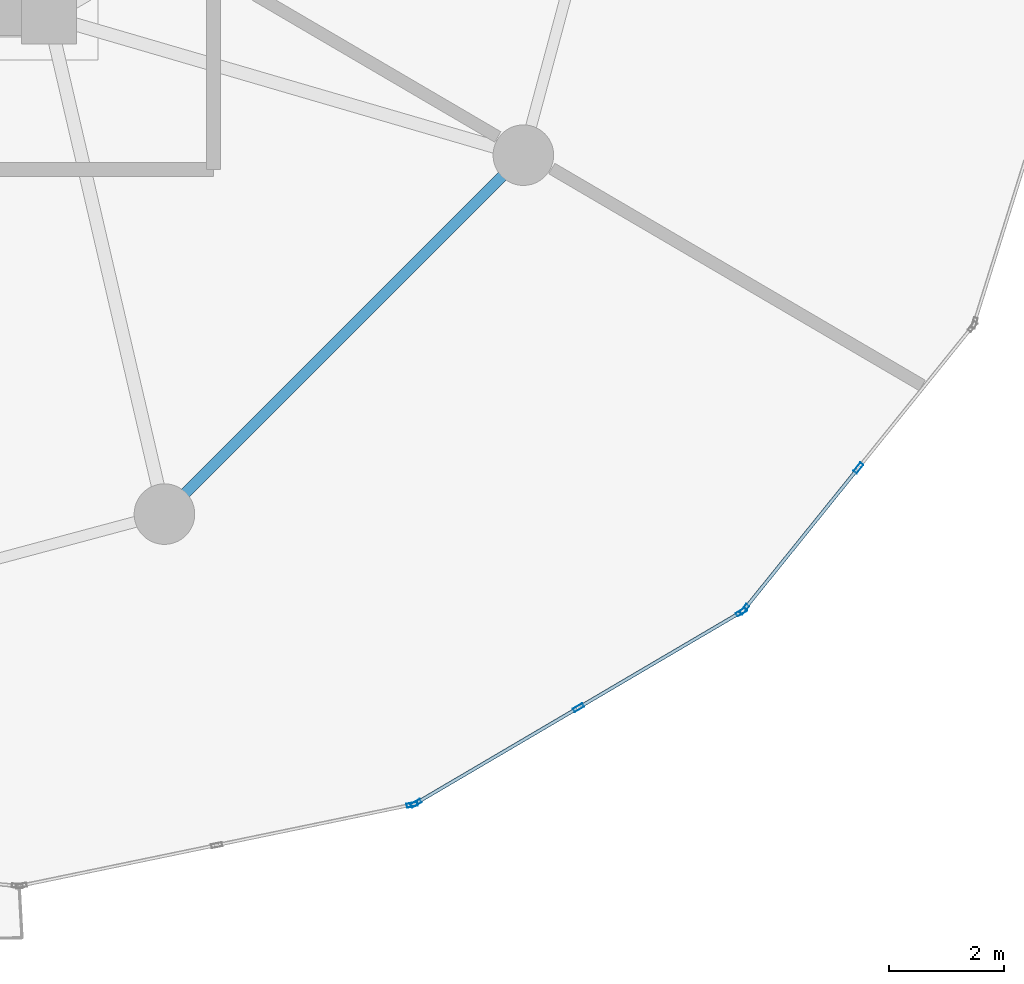
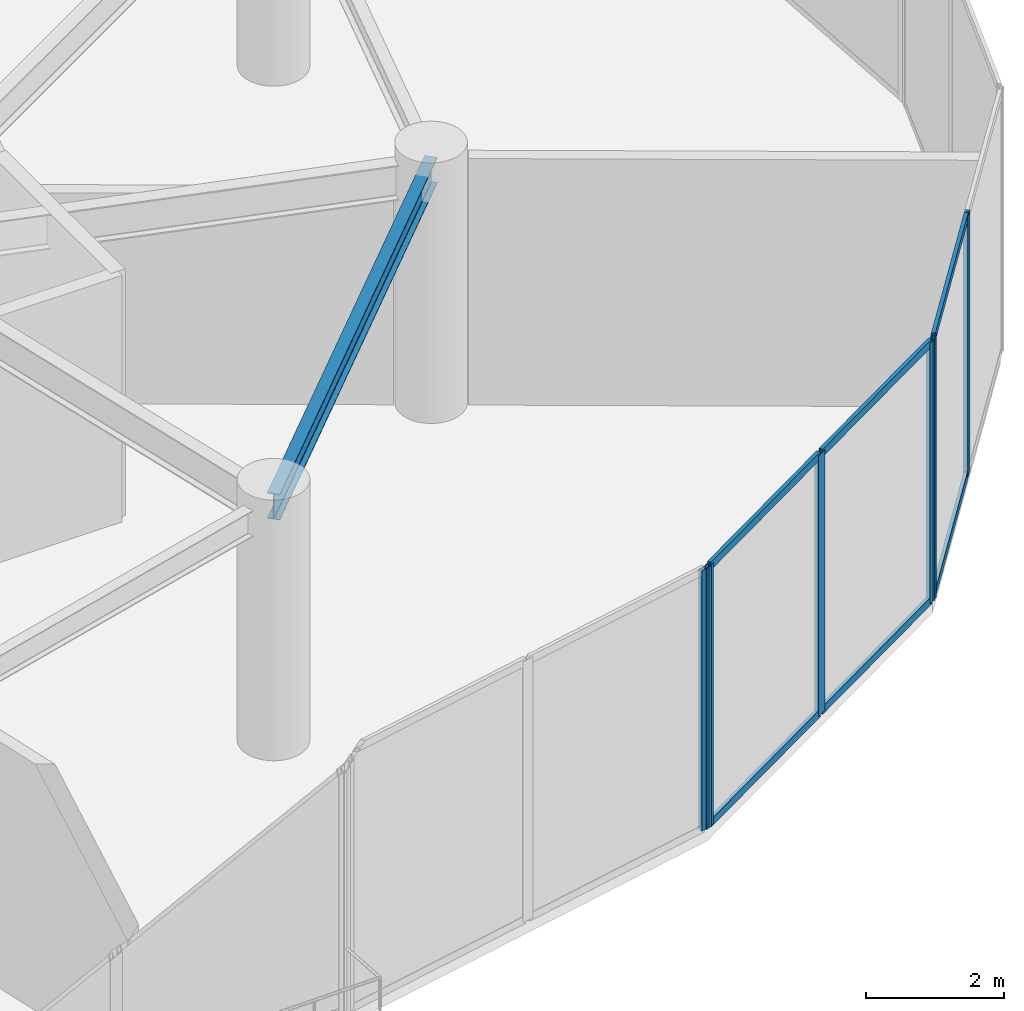
# One storey, part 11 of 28: 12 members, 1 beam, 3 elements without a shape of their own.
"""IFC4 building model written with IfcOpenShell, lengths in metres."""

import ifcopenshell
import ifcopenshell.guid

model = None  # the IFC model being written
_history = None  # IfcOwnerHistory: only IFC2X3 demands one
_inside = {}  # id of a spatial element -> (the spatial element, [elements in it])
_under = {}  # id of a project, library or spatial element -> (it, [spatial elements below it])
_declared = {}  # id of a project -> (the project, [libraries it declares])
_typed = {}  # id of a type object -> (the type object, [elements of that type])
_made_of = {}  # id of a material, layer set ... -> (it, [elements and type objects made of it])


def new_model(schema):
    """Start an empty IFC model of exactly this schema.

    Asked for "IFC4X3", IfcOpenShell would pick the latest addendum, in which some entities
    have other attributes; the version numbers below select the first issue.
    IFC2X3 requires an IfcOwnerHistory on every rooted entity: one is made here for all.
    """
    global model, _history
    if schema == "IFC4X3":
        model = ifcopenshell.file(schema_version=(4, 3, 0, 0))
    else:
        model = ifcopenshell.file(schema=schema)
    _inside.clear()
    _under.clear()
    _declared.clear()
    _typed.clear()
    _made_of.clear()
    _history = None
    if model.schema == "IFC2X3":
        org = make("IfcOrganization", Name="unknown")
        user = make(
            "IfcPersonAndOrganization",
            ThePerson=make("IfcPerson", FamilyName="unknown"),
            TheOrganization=org,
        )
        app = make(
            "IfcApplication",
            ApplicationDeveloper=org,
            Version="unknown",
            ApplicationFullName="unknown",
            ApplicationIdentifier="unknown",
        )
        _history = make(
            "IfcOwnerHistory",
            OwningUser=user,
            OwningApplication=app,
            ChangeAction="ADDED",
            CreationDate=0,
        )
    return model


def make(cls, **values):
    """One entity of the class cls with the attributes given. An attribute that is None is left unset."""
    return model.create_entity(
        cls, **{name: value for name, value in values.items() if value is not None}
    )


def rooted(cls, **values):
    """An entity with a GlobalId (a new one), such as an element, a storey or a relation."""
    return make(cls, GlobalId=ifcopenshell.guid.new(), OwnerHistory=_history, **values)


def si_unit(unit_type, name, prefix=None):
    """IfcSIUnit, for example si_unit("LENGTHUNIT", "METRE", prefix="MILLI")."""
    return make("IfcSIUnit", UnitType=unit_type, Prefix=prefix, Name=name)


def assignment(units):
    """IfcUnitAssignment: the units of a project."""
    return None if units is None else make("IfcUnitAssignment", Units=units)


def point(xyz):
    """IfcCartesianPoint."""
    return None if xyz is None else make("IfcCartesianPoint", Coordinates=xyz)


def direction(xyz):
    """IfcDirection."""
    return None if xyz is None else make("IfcDirection", DirectionRatios=xyz)


def frame(location, z_axis=None, x_axis=None):
    """IfcAxis2Placement3D, a coordinate frame: its origin and axes. An axis left out is left unset."""
    return make(
        "IfcAxis2Placement3D",
        Location=point(location),
        Axis=direction(z_axis),
        RefDirection=direction(x_axis),
    )


def frame_2d(location, x_axis=None):
    """IfcAxis2Placement2D, a coordinate frame in the plane: its origin and x axis."""
    return make(
        "IfcAxis2Placement2D", Location=point(location), RefDirection=direction(x_axis)
    )


def origin():
    """The frame at (0, 0, 0) with its axes left unset."""
    return frame((0.0, 0.0, 0.0))


def origin_2d():
    """The frame at (0, 0) in the plane with its x axis left unset."""
    return frame_2d((0.0, 0.0))


def place(relative_to, where):
    """IfcLocalPlacement: puts the frame where relative to a parent placement (None: the world)."""
    return make(
        "IfcLocalPlacement", PlacementRelTo=relative_to, RelativePlacement=where
    )


def context(
    kind, dimensions, precision=None, world=None, true_north=None, identifier=None
):
    """IfcGeometricRepresentationContext, for example the 3D "Model" context."""
    return make(
        "IfcGeometricRepresentationContext",
        ContextIdentifier=identifier,
        ContextType=kind,
        CoordinateSpaceDimension=dimensions,
        Precision=precision,
        WorldCoordinateSystem=world,
        TrueNorth=true_north,
    )


def subcontext(parent, identifier, kind, view, scale=None):
    """IfcGeometricRepresentationSubContext, for example "Body" below "Model"."""
    return make(
        "IfcGeometricRepresentationSubContext",
        ContextIdentifier=identifier,
        ContextType=kind,
        ParentContext=parent,
        TargetScale=scale,
        TargetView=view,
    )


def project(units=None, contexts=None):
    """IfcProject with its units and contexts."""
    return rooted(
        "IfcProject",
        Name="project",
        RepresentationContexts=contexts,
        UnitsInContext=assignment(units),
    )


def spatial(cls, under=None, at=None, **own):
    """A site, building, storey or space (cls), placed at a placement, below another one or the project."""
    s = rooted(cls, ObjectPlacement=at, **own)
    if under is not None:
        _under.setdefault(under.id(), (under, []))[1].append(s)
    return s


def profile(cls, at=None, kind="AREA", **sizes):
    """A parametric profile (cls). Its sizes go by their IFC names, for example OverallWidth=200.0."""
    return make(cls, ProfileType=kind, Position=at, **sizes)


def hollow_rectangle(**sizes):
    """IfcRectangleHollowProfileDef."""
    return profile("IfcRectangleHollowProfileDef", **sizes)


def i_section(**sizes):
    """IfcIShapeProfileDef."""
    return profile("IfcIShapeProfileDef", **sizes)


def extrude(swept, where, along, depth):
    """IfcExtrudedAreaSolid: the profile swept, set in the frame where, extruded along a direction by depth."""
    return make(
        "IfcExtrudedAreaSolid",
        SweptArea=swept,
        Position=where,
        ExtrudedDirection=direction(along),
        Depth=depth,
    )


def shape(context_of_items, identifier, shape_type, items):
    """IfcShapeRepresentation: the items that make up one representation, for example the "Body"."""
    return make(
        "IfcShapeRepresentation",
        ContextOfItems=context_of_items,
        RepresentationIdentifier=identifier,
        RepresentationType=shape_type,
        Items=items,
    )


def source(mapping_origin, context_of_items, identifier, shape_type, items):
    """IfcRepresentationMap: a shape defined once, which mapped items show again and again."""
    return make(
        "IfcRepresentationMap",
        MappingOrigin=mapping_origin,
        MappedRepresentation=shape(context_of_items, identifier, shape_type, items),
    )


def transform(
    local_origin,
    x_axis=None,
    y_axis=None,
    z_axis=None,
    scale=None,
    scale2=None,
    scale3=None,
    uniform=True,
):
    """IfcCartesianTransformationOperator3D, or its non-uniform kind. x_axis, y_axis, z_axis: its Axis1, 2, 3."""
    if uniform:
        return make(
            "IfcCartesianTransformationOperator3D",
            Axis1=direction(x_axis),
            Axis2=direction(y_axis),
            LocalOrigin=point(local_origin),
            Scale=scale,
            Axis3=direction(z_axis),
        )
    return make(
        "IfcCartesianTransformationOperator3DnonUniform",
        Axis1=direction(x_axis),
        Axis2=direction(y_axis),
        LocalOrigin=point(local_origin),
        Scale=scale,
        Axis3=direction(z_axis),
        Scale2=scale2,
        Scale3=scale3,
    )


def mapped(mapping_source, mapping_target):
    """IfcMappedItem: shows the shape of a source again, moved by a transform."""
    return make(
        "IfcMappedItem", MappingSource=mapping_source, MappingTarget=mapping_target
    )


def material(Name=None, Category=None):
    """IfcMaterial."""
    return make("IfcMaterial", Name=Name, Category=Category)


def layer(
    of_material, thickness, ventilated=None, Name=None, Category=None, Priority=None
):
    """IfcMaterialLayer: one layer of a wall or slab, of a material (None: an air gap)."""
    return make(
        "IfcMaterialLayer",
        Material=of_material,
        LayerThickness=thickness,
        IsVentilated=ventilated,
        Name=Name,
        Category=Category,
        Priority=Priority,
    )


def layer_set(layers, Name=None):
    """IfcMaterialLayerSet."""
    return make("IfcMaterialLayerSet", MaterialLayers=layers, LayerSetName=Name)


def material_profile(
    of_material, cross_section, Name=None, Category=None, Priority=None
):
    """IfcMaterialProfile: a cross section and its material."""
    return make(
        "IfcMaterialProfile",
        Name=Name,
        Material=of_material,
        Profile=cross_section,
        Priority=Priority,
        Category=Category,
    )


def profile_set(profiles, Name=None, composite=None):
    """IfcMaterialProfileSet."""
    return make(
        "IfcMaterialProfileSet",
        Name=Name,
        MaterialProfiles=profiles,
        CompositeProfile=composite,
    )


def made_of(thing, what):
    """Note that an element or type object is made of a material, layer set ...; save() writes the relation."""
    if what is not None:
        _made_of.setdefault(what.id(), (what, []))[1].append(thing)
    return thing


def type_object(cls, material=None, **own):
    """A type object (cls), such as IfcWallType, which elements share."""
    return made_of(rooted(cls, **own), material)


def element(
    cls,
    number,
    at=None,
    inside=None,
    cuts=None,
    type_object=None,
    material=None,
    context=None,
    identifier="Body",
    shape_type=None,
    held_by="IfcProductDefinitionShape",
    body=None,
    shapes=None,
    **own,
):
    """One element of the class cls, such as IfcWall. Its Tag is "e" and its number.

    at: its placement. inside: the storey or other place that contains it. cuts: it is an
    opening in that element (IfcRelVoidsElement). A single representation is given by context,
    identifier, shape_type and body (its items); several are given by shapes. held_by: the class
    of the entity that holds the representations. save() writes the other relations.
    """
    e = rooted(cls, Tag="e%d" % number, ObjectPlacement=at, **own)
    if body is not None:
        shapes = [shape(context, identifier, shape_type, body)]
    if shapes is not None:
        e.Representation = make(held_by, Representations=shapes)
    if inside is not None:
        _inside.setdefault(inside.id(), (inside, []))[1].append(e)
    if cuts is not None:
        rooted(
            "IfcRelVoidsElement", RelatingBuildingElement=cuts, RelatedOpeningElement=e
        )
    if type_object is not None:
        _typed.setdefault(type_object.id(), (type_object, []))[1].append(e)
    return made_of(e, material)


def aggregate(whole, parts):
    """IfcRelAggregates: a whole, such as a stair, and the parts it consists of."""
    return rooted("IfcRelAggregates", RelatingObject=whole, RelatedObjects=parts)


def save(model, path):
    """Write the relations noted so far, then the file.

    IfcRelAggregates (storeys below a building ...), IfcRelContainedInSpatialStructure (elements
    in a storey), IfcRelDefinesByType, IfcRelAssociatesMaterial and IfcRelDeclares: one each for
    every whole, place, type object, material and project.
    """
    for whole, parts in _under.values():
        aggregate(whole, parts)
    for where, things in _inside.values():
        rooted(
            "IfcRelContainedInSpatialStructure",
            RelatedElements=things,
            RelatingStructure=where,
        )
    for kind, things in _typed.values():
        rooted("IfcRelDefinesByType", RelatedObjects=things, RelatingType=kind)
    for what, things in _made_of.values():
        rooted("IfcRelAssociatesMaterial", RelatedObjects=things, RelatingMaterial=what)
    for by, libraries in _declared.values():
        rooted("IfcRelDeclares", RelatingContext=by, RelatedDefinitions=libraries)
    model.write(path)


model = new_model("IFC4")

# Units and contexts
model_context = context("Model", 3, precision=1e-05, world=origin(), true_north=direction((0.0, 1.0)))
body_context = subcontext(model_context, "Body", "Model", "MODEL_VIEW")
ifc_project = project(units=[si_unit("LENGTHUNIT", "METRE"), si_unit("AREAUNIT", "SQUARE_METRE"), si_unit("VOLUMEUNIT", "CUBIC_METRE"), si_unit("PLANEANGLEUNIT", "RADIAN"), si_unit("MASSUNIT", "GRAM", prefix="KILO")], contexts=[model_context])

# Site, building, storey
site_placement = place(None, origin())
site = spatial("IfcSite", under=ifc_project, at=site_placement, CompositionType="ELEMENT")
building_placement = place(site_placement, origin())
building = spatial("IfcBuilding", under=site, at=building_placement, Name="Solvirekh Grand Hotel", CompositionType="ELEMENT")
storey_placement = place(building_placement, frame((0.0, 0.0, 98.0)))
storey = spatial("IfcBuildingStorey", under=building, at=storey_placement, Name="L24", CompositionType="ELEMENT", Elevation=98.0)

# Beam
ifc_material_1 = material(Name="Steel S355", Category="steel")
ifc_material_profile_1 = material_profile(ifc_material_1, i_section(OverallWidth=0.18994140625, OverallDepth=0.45703125, WebThickness=0.009033203125, FlangeThickness=0.013916015625, FilletRadius=0.012939453125, at=origin_2d()), Name="W460X74")
ifc_profile_set_1 = profile_set([ifc_material_profile_1], Name="Steel S355")
beam_type = type_object("IfcBeamType", Name="Spandrel_Ring_W460", PredefinedType="SPANDREL", material=ifc_profile_set_1)
beam_placement = place(storey_placement, frame((8.5, -14.721923828125, 4.12109375), z_axis=(0.707106781187, 0.707106781187, 0.0), x_axis=(-0.707106781187, 0.707106781187, 0.0)))
element("IfcBeam", 1, at=beam_placement, inside=storey, type_object=beam_type, Name="L24 perimeter spandrel beam 11", PredefinedType="SPANDREL", context=body_context, shape_type="SweptSolid", body=[
    extrude(i_section(OverallWidth=0.18994140625, OverallDepth=0.45703125, WebThickness=0.009033203125, FlangeThickness=0.013916015625, FilletRadius=0.012939453125, at=origin_2d()), origin(), (0.0, 0.0, 1.0), 8.799072265625),
])

# Curtain wall, member
ifc_material_2 = material(Name="Anodized Bronze Aluminium 6063-T6", Category="aluminium")
ifc_layer = layer(ifc_material_2, 0.18994140625)
ifc_layer_set = layer_set([ifc_layer], Name="Anodized Bronze Aluminium 6063-T6")
curtain_wall_type = type_object("IfcCurtainWallType", Name="CW_Sys5_SkyLobbyPanoramaCW", PredefinedType="NOTDEFINED", material=ifc_layer_set)
curtain_wall_1_placement = place(storey_placement, origin())
curtain_wall_1 = element("IfcCurtainWall", 2, at=curtain_wall_1_placement, inside=storey, type_object=curtain_wall_type, Name="L24 unitised bronze-glass curtain wall CW-L24-C18", PredefinedType="NOTDEFINED")
ifc_material_profile_2 = material_profile(ifc_material_2, hollow_rectangle(XDim=0.070068359375, YDim=0.18994140625, WallThickness=0.0048828125, at=origin_2d()), Name="ALU RHS 190X70X5")
ifc_profile_set_2 = profile_set([ifc_material_profile_2], Name="Anodized Bronze Aluminium 6063-T6")
member_type_1 = type_object("IfcMemberType", Name="CWMullion_Sys5", PredefinedType="MULLION", material=ifc_profile_set_2)
shared_shape_1 = source(origin(), body_context, "Body", "SweptSolid", [
    extrude(hollow_rectangle(XDim=0.070068359375, YDim=0.18994140625, WallThickness=0.0048828125, at=origin_2d()), origin(), (0.0, 0.0, 1.0), 4.60009765625),
])
member_1_placement = place(storey_placement, frame((12.794677734375, -19.760009765625, 0.0), z_axis=(0.0, 0.0, 1.0), x_axis=(-0.202742807709, 0.979232022517, 0.0)))
member_1 = element("IfcMember", 3, at=member_1_placement, type_object=member_type_1, Name="U05 mullion 3", PredefinedType="MULLION", context=body_context, shape_type="MappedRepresentation", body=[
    mapped(shared_shape_1, transform((0.0, 0.0, 0.0), x_axis=(1.0, 0.0, 0.0), y_axis=(0.0, 1.0, 0.0), z_axis=(0.0, 0.0, 1.0), scale=1.0)),
])
aggregate(curtain_wall_1, [member_1])

# Curtain wall, members
curtain_wall_2_placement = place(storey_placement, origin())
curtain_wall_2 = element("IfcCurtainWall", 4, at=curtain_wall_2_placement, inside=storey, type_object=curtain_wall_type, Name="L24 unitised bronze-glass curtain wall CW-L24-C19", PredefinedType="NOTDEFINED")
member_2_placement = place(storey_placement, frame((12.859130859375, -19.7353515625, 0.0), z_axis=(0.0, 0.0, 1.0), x_axis=(-0.506848307194, 0.862035262327, 0.0)))
member_2 = element("IfcMember", 5, at=member_2_placement, type_object=member_type_1, Name="U05 mullion 1", PredefinedType="MULLION", context=body_context, shape_type="MappedRepresentation", body=[
    mapped(shared_shape_1, transform((0.0, 0.0, 0.0), x_axis=(1.0, 0.0, 0.0), y_axis=(0.0, 1.0, 0.0), z_axis=(0.0, 0.0, 1.0), scale=1.0)),
])
member_3_placement = place(storey_placement, frame((15.679443359375, -18.076904296875, 0.0), z_axis=(0.0, 0.0, 1.0), x_axis=(-0.506848307194, 0.862035262327, 0.0)))
member_3 = element("IfcMember", 6, at=member_3_placement, type_object=member_type_1, Name="U05 mullion 2", PredefinedType="MULLION", context=body_context, shape_type="MappedRepresentation", body=[
    mapped(shared_shape_1, transform((0.0, 0.0, 0.0), x_axis=(1.0, 0.0, 0.0), y_axis=(0.0, 1.0, 0.0), z_axis=(0.0, 0.0, 1.0), scale=1.0)),
])
member_4_placement = place(storey_placement, frame((18.499755859375, -16.418701171875, 0.0), z_axis=(0.0, 0.0, 1.0), x_axis=(-0.506848307194, 0.862035262327, 0.0)))
member_4 = element("IfcMember", 7, at=member_4_placement, type_object=member_type_1, Name="U05 mullion 3", PredefinedType="MULLION", context=body_context, shape_type="MappedRepresentation", body=[
    mapped(shared_shape_1, transform((0.0, 0.0, 0.0), x_axis=(1.0, 0.0, 0.0), y_axis=(0.0, 1.0, 0.0), z_axis=(0.0, 0.0, 1.0), scale=1.0)),
])

curtain_wall_3_placement = place(storey_placement, origin())
curtain_wall_3 = element("IfcCurtainWall", 8, at=curtain_wall_3_placement, inside=storey, type_object=curtain_wall_type, Name="L24 unitised bronze-glass curtain wall CW-L24-C20", PredefinedType="NOTDEFINED")
member_5_placement = place(storey_placement, frame((18.552001953125, -16.373779296875, 0.0), z_axis=(0.0, 0.0, 1.0), x_axis=(-0.778227402159, 0.627982571835, 0.0)))
member_5 = element("IfcMember", 9, at=member_5_placement, type_object=member_type_1, Name="U05 mullion 1", PredefinedType="MULLION", context=body_context, shape_type="MappedRepresentation", body=[
    mapped(shared_shape_1, transform((0.0, 0.0, 0.0), x_axis=(1.0, 0.0, 0.0), y_axis=(0.0, 1.0, 0.0), z_axis=(0.0, 0.0, 1.0), scale=1.0)),
])
member_6_placement = place(storey_placement, frame((20.530029296875, -13.922607421875, 0.0), z_axis=(0.0, 0.0, 1.0), x_axis=(-0.778227402159, 0.627982571835, 0.0)))
member_6 = element("IfcMember", 10, at=member_6_placement, type_object=member_type_1, Name="U05 mullion 2", PredefinedType="MULLION", context=body_context, shape_type="MappedRepresentation", body=[
    mapped(shared_shape_1, transform((0.0, 0.0, 0.0), x_axis=(1.0, 0.0, 0.0), y_axis=(0.0, 1.0, 0.0), z_axis=(0.0, 0.0, 1.0), scale=1.0)),
])

# Member
ifc_material_profile_3 = material_profile(ifc_material_2, hollow_rectangle(XDim=0.06005859375, YDim=0.135009765625, WallThickness=0.00390625, at=origin_2d()), Name="ALU RHS 135X60X4")
ifc_profile_set_3 = profile_set([ifc_material_profile_3], Name="Anodized Bronze Aluminium 6063-T6")
member_type_2 = type_object("IfcMemberType", Name="CWTransom_Sys5", PredefinedType="USERDEFINED", material=ifc_profile_set_3)
shared_shape_2 = source(origin(), body_context, "Body", "SweptSolid", [
    extrude(hollow_rectangle(XDim=0.06005859375, YDim=0.135009765625, WallThickness=0.00390625, at=origin_2d()), origin(), (0.0, 0.0, 1.0), 3.20166015625),
])
member_7_placement = place(storey_placement, frame((12.889404296875, -19.717529296875, 0.030029296875), z_axis=(0.862034169507, 0.50685016583, 0.0), x_axis=(-0.50685016583, 0.862034169507, 0.0)))
member_7 = element("IfcMember", 11, at=member_7_placement, type_object=member_type_2, Name="U05 transom 1.1", ObjectType="TRANSOM", PredefinedType="USERDEFINED", context=body_context, shape_type="MappedRepresentation", body=[
    mapped(shared_shape_2, transform((0.0, 0.0, 0.0), x_axis=(1.0, 0.0, 0.0), y_axis=(0.0, 1.0, 0.0), z_axis=(0.0, 0.0, 1.0), scale=1.0)),
])

member_8_placement = place(storey_placement, frame((12.889404296875, -19.717529296875, 4.570068359375), z_axis=(0.862034169507, 0.50685016583, 0.0), x_axis=(-0.50685016583, 0.862034169507, 0.0)))
member_8 = element("IfcMember", 12, at=member_8_placement, type_object=member_type_2, Name="U05 transom 1.2", ObjectType="TRANSOM", PredefinedType="USERDEFINED", context=body_context, shape_type="MappedRepresentation", body=[
    mapped(shared_shape_2, transform((0.0, 0.0, 0.0), x_axis=(1.0, 0.0, 0.0), y_axis=(0.0, 1.0, 0.0), z_axis=(0.0, 0.0, 1.0), scale=1.0)),
])

member_9_placement = place(storey_placement, frame((15.709716796875, -18.059326171875, 0.030029296875), z_axis=(0.862034169507, 0.50685016583, 0.0), x_axis=(-0.50685016583, 0.862034169507, 0.0)))
member_9 = element("IfcMember", 13, at=member_9_placement, type_object=member_type_2, Name="U05 transom 2.1", ObjectType="TRANSOM", PredefinedType="USERDEFINED", context=body_context, shape_type="MappedRepresentation", body=[
    mapped(shared_shape_2, transform((0.0, 0.0, 0.0), x_axis=(1.0, 0.0, 0.0), y_axis=(0.0, 1.0, 0.0), z_axis=(0.0, 0.0, 1.0), scale=1.0)),
])

member_10_placement = place(storey_placement, frame((15.709716796875, -18.059326171875, 4.570068359375), z_axis=(0.862034169507, 0.50685016583, 0.0), x_axis=(-0.50685016583, 0.862034169507, 0.0)))
member_10 = element("IfcMember", 14, at=member_10_placement, type_object=member_type_2, Name="U05 transom 2.2", ObjectType="TRANSOM", PredefinedType="USERDEFINED", context=body_context, shape_type="MappedRepresentation", body=[
    mapped(shared_shape_2, transform((0.0, 0.0, 0.0), x_axis=(1.0, 0.0, 0.0), y_axis=(0.0, 1.0, 0.0), z_axis=(0.0, 0.0, 1.0), scale=1.0)),
])

aggregate(curtain_wall_2, [member_2, member_3, member_4, member_7, member_8, member_9, member_10])

shared_shape_3 = source(origin(), body_context, "Body", "SweptSolid", [
    extrude(hollow_rectangle(XDim=0.06005859375, YDim=0.135009765625, WallThickness=0.00390625, at=origin_2d()), origin(), (0.0, 0.0, 1.0), 3.079833984375),
])
member_11_placement = place(storey_placement, frame((18.573974609375, -16.346435546875, 0.030029296875), z_axis=(0.627995685735, 0.778216819851, 0.0), x_axis=(-0.778216819851, 0.627995685735, 0.0)))
member_11 = element("IfcMember", 15, at=member_11_placement, type_object=member_type_2, Name="U05 transom 1.1", ObjectType="TRANSOM", PredefinedType="USERDEFINED", context=body_context, shape_type="MappedRepresentation", body=[
    mapped(shared_shape_3, transform((0.0, 0.0, 0.0), x_axis=(1.0, 0.0, 0.0), y_axis=(0.0, 1.0, 0.0), z_axis=(0.0, 0.0, 1.0), scale=1.0)),
])

member_12_placement = place(storey_placement, frame((18.573974609375, -16.346435546875, 4.570068359375), z_axis=(0.627995685735, 0.778216819851, 0.0), x_axis=(-0.778216819851, 0.627995685735, 0.0)))
member_12 = element("IfcMember", 16, at=member_12_placement, type_object=member_type_2, Name="U05 transom 1.2", ObjectType="TRANSOM", PredefinedType="USERDEFINED", context=body_context, shape_type="MappedRepresentation", body=[
    mapped(shared_shape_3, transform((0.0, 0.0, 0.0), x_axis=(1.0, 0.0, 0.0), y_axis=(0.0, 1.0, 0.0), z_axis=(0.0, 0.0, 1.0), scale=1.0)),
])

aggregate(curtain_wall_3, [member_5, member_6, member_11, member_12])

save(model, "model.ifc")
